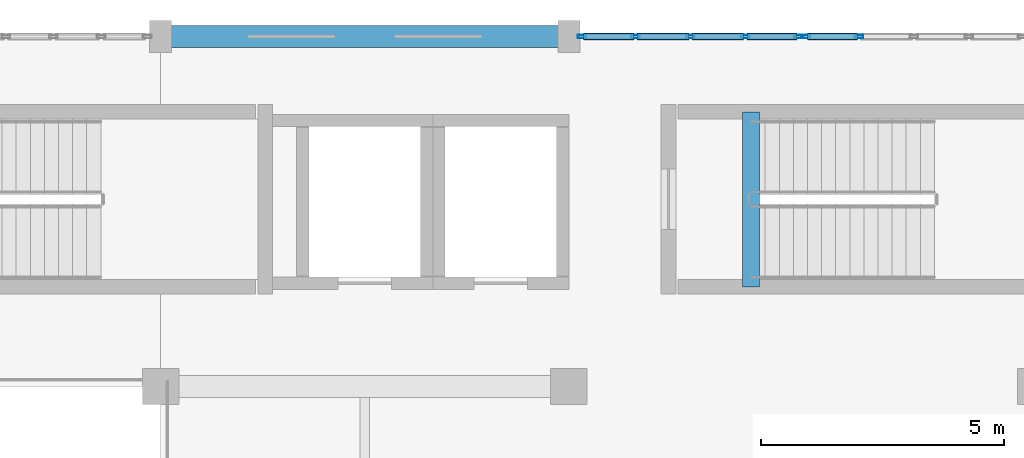
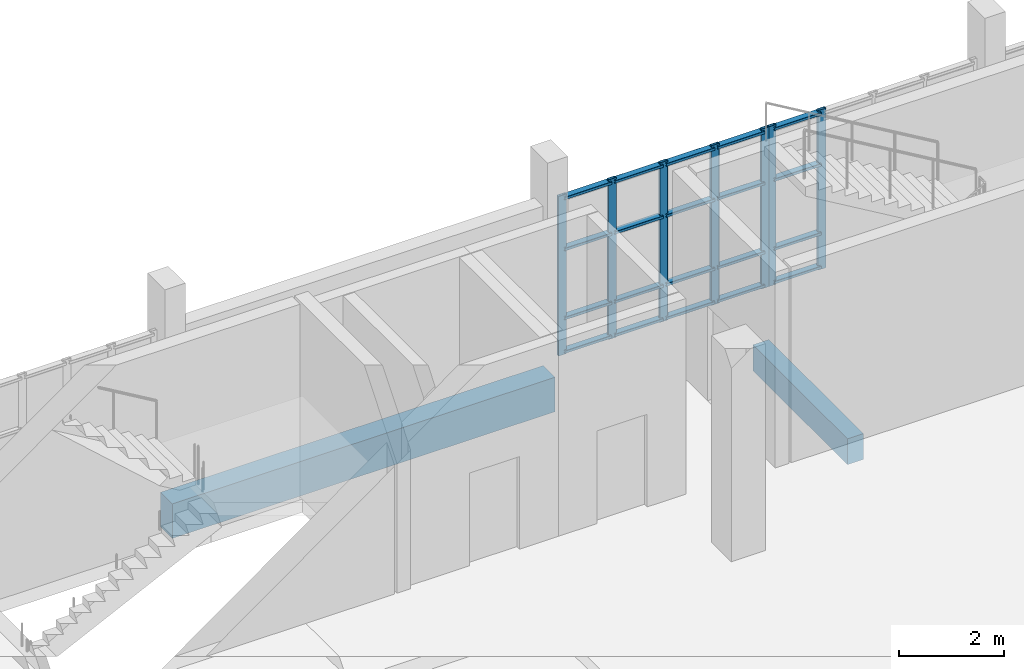
# One storey, part 41 of 106: 27 members, 2 beams, 2 elements without a shape of their own.
"""IFC4 building model written with IfcOpenShell, lengths in metres."""

from ifc_helpers import new_model, si_unit, direction, frame, origin, origin_2d, place, context, subcontext, project, spatial, rectangle, hollow_rectangle, extrude, material, layer, layer_set, material_profile, profile_set, type_object, element, aggregate, save


model = new_model("IFC4")

# Units and contexts
model_context = context("Model", 3, precision=1e-05, world=origin(), true_north=direction((0.0, 1.0)))
body_context = subcontext(model_context, "Body", "Model", "MODEL_VIEW")
ifc_project = project(units=[si_unit("LENGTHUNIT", "METRE"), si_unit("AREAUNIT", "SQUARE_METRE"), si_unit("VOLUMEUNIT", "CUBIC_METRE"), si_unit("PLANEANGLEUNIT", "RADIAN"), si_unit("MASSUNIT", "GRAM", prefix="KILO")], contexts=[model_context])

# Site, building, storey
site_placement = place(None, origin())
site = spatial("IfcSite", under=ifc_project, at=site_placement, CompositionType="ELEMENT")
building_placement = place(site_placement, origin())
building = spatial("IfcBuilding", under=site, at=building_placement, Name="Kisaragi Civic Commons", CompositionType="ELEMENT")
storey_placement = place(building_placement, frame((0.0, 0.0, 4.800048828125)))
storey = spatial("IfcBuildingStorey", under=building, at=storey_placement, Name="L01", CompositionType="ELEMENT", Elevation=4.800048828125)

# Curtain wall, members
ifc_material_1 = material(Name="Thermally broken anodized aluminium and low-E double glazing", Category="aluminium")
ifc_layer = layer(ifc_material_1, 0.179931640625, Name="Thermally broken anodized aluminium and low-E double glazing", Category="aluminium")
ifc_layer_set = layer_set([ifc_layer], Name="Thermally broken anodized aluminium and low-E double glazing")
curtain_wall_type = type_object("IfcCurtainWallType", Name="CW-01", PredefinedType="NOTDEFINED", material=ifc_layer_set)
curtain_wall_1_placement = place(storey_placement, origin())
curtain_wall_1 = element("IfcCurtainWall", 1, at=curtain_wall_1_placement, inside=storey, type_object=curtain_wall_type, Name="L01 curtain wall CW-01 CW-V4-L01-065", PredefinedType="NOTDEFINED")
ifc_material_profile_1 = material_profile(ifc_material_1, hollow_rectangle(XDim=0.06494140625, YDim=0.179931640625, WallThickness=0.00439453125, InnerFilletRadius=0.00439453125, OuterFilletRadius=0.009033203125, at=origin_2d()), Name="CWM-65x180x4.5", Category="aluminium")
ifc_profile_set_1 = profile_set([ifc_material_profile_1], Name="Thermally broken anodized aluminium and low-E double glazing")
member_type_1 = type_object("IfcMemberType", Name="CWM-02", PredefinedType="MULLION", material=ifc_profile_set_1)
member_1_placement = place(storey_placement, frame((114.2724609375, 118.800048828125, 0.0), z_axis=(0.0, 0.0, 1.0), x_axis=(0.0, 1.0, 0.0)))
member_1 = element("IfcMember", 2, at=member_1_placement, type_object=member_type_1, Name="CW-01 mullion 1", PredefinedType="MULLION", context=body_context, shape_type="SweptSolid", body=[
    extrude(hollow_rectangle(XDim=0.06494140625, YDim=0.179931640625, WallThickness=0.00439453125, InnerFilletRadius=0.00439453125, OuterFilletRadius=0.009033203125, at=origin_2d()), origin(), (0.0, 0.0, 1.0), 3.704833984375),
])
member_2_placement = place(storey_placement, frame((115.3701171875, 118.800048828125, 0.0), z_axis=(0.0, 0.0, 1.0), x_axis=(0.0, 1.0, 0.0)))
member_2 = element("IfcMember", 3, at=member_2_placement, type_object=member_type_1, Name="CW-01 mullion 2", PredefinedType="MULLION", context=body_context, shape_type="SweptSolid", body=[
    extrude(hollow_rectangle(XDim=0.06494140625, YDim=0.179931640625, WallThickness=0.00439453125, InnerFilletRadius=0.00439453125, OuterFilletRadius=0.009033203125, at=origin_2d()), origin(), (0.0, 0.0, 1.0), 3.704833984375),
])
member_3_placement = place(storey_placement, frame((116.5, 118.800048828125, 0.0), z_axis=(0.0, 0.0, 1.0), x_axis=(0.0, 1.0, 0.0)))
member_3 = element("IfcMember", 4, at=member_3_placement, type_object=member_type_1, Name="CW-01 mullion 3", PredefinedType="MULLION", context=body_context, shape_type="SweptSolid", body=[
    extrude(hollow_rectangle(XDim=0.06494140625, YDim=0.179931640625, WallThickness=0.00439453125, InnerFilletRadius=0.00439453125, OuterFilletRadius=0.009033203125, at=origin_2d()), origin(), (0.0, 0.0, 1.0), 3.704833984375),
])
member_4_placement = place(storey_placement, frame((117.6298828125, 118.800048828125, 0.0), z_axis=(0.0, 0.0, 1.0), x_axis=(0.0, 1.0, 0.0)))
member_4 = element("IfcMember", 5, at=member_4_placement, type_object=member_type_1, Name="CW-01 mullion 4", PredefinedType="MULLION", context=body_context, shape_type="SweptSolid", body=[
    extrude(hollow_rectangle(XDim=0.06494140625, YDim=0.179931640625, WallThickness=0.00439453125, InnerFilletRadius=0.00439453125, OuterFilletRadius=0.009033203125, at=origin_2d()), origin(), (0.0, 0.0, 1.0), 3.704833984375),
])
member_5_placement = place(storey_placement, frame((118.7275390625, 118.800048828125, 0.0), z_axis=(0.0, 0.0, 1.0), x_axis=(0.0, 1.0, 0.0)))
member_5 = element("IfcMember", 6, at=member_5_placement, type_object=member_type_1, Name="CW-01 mullion 5", PredefinedType="MULLION", context=body_context, shape_type="SweptSolid", body=[
    extrude(hollow_rectangle(XDim=0.06494140625, YDim=0.179931640625, WallThickness=0.00439453125, InnerFilletRadius=0.00439453125, OuterFilletRadius=0.009033203125, at=origin_2d()), origin(), (0.0, 0.0, 1.0), 3.704833984375),
])

curtain_wall_2_placement = place(storey_placement, origin())
curtain_wall_2 = element("IfcCurtainWall", 7, at=curtain_wall_2_placement, inside=storey, type_object=curtain_wall_type, Name="L01 curtain wall CW-01 CW-V4-L01-066", PredefinedType="NOTDEFINED")
member_6_placement = place(storey_placement, frame((118.87255859375, 118.800048828125, 0.0), z_axis=(0.0, 0.0, 1.0), x_axis=(0.0, 1.0, 0.0)))
member_6 = element("IfcMember", 8, at=member_6_placement, type_object=member_type_1, Name="CW-01 mullion 1", PredefinedType="MULLION", context=body_context, shape_type="SweptSolid", body=[
    extrude(hollow_rectangle(XDim=0.06494140625, YDim=0.179931640625, WallThickness=0.00439453125, InnerFilletRadius=0.00439453125, OuterFilletRadius=0.009033203125, at=origin_2d()), origin(), (0.0, 0.0, 1.0), 3.704833984375),
])
member_7_placement = place(storey_placement, frame((119.969970703125, 118.800048828125, 0.0), z_axis=(0.0, 0.0, 1.0), x_axis=(0.0, 1.0, 0.0)))
member_7 = element("IfcMember", 9, at=member_7_placement, type_object=member_type_1, Name="CW-01 mullion 2", PredefinedType="MULLION", context=body_context, shape_type="SweptSolid", body=[
    extrude(hollow_rectangle(XDim=0.06494140625, YDim=0.179931640625, WallThickness=0.00439453125, InnerFilletRadius=0.00439453125, OuterFilletRadius=0.009033203125, at=origin_2d()), origin(), (0.0, 0.0, 1.0), 3.704833984375),
])

# Member
ifc_material_profile_2 = material_profile(ifc_material_1, hollow_rectangle(XDim=0.139892578125, YDim=0.06494140625, WallThickness=0.00439453125, InnerFilletRadius=0.00439453125, OuterFilletRadius=0.009033203125, at=origin_2d()), Name="CWT-65x140x4.5", Category="aluminium")
ifc_profile_set_2 = profile_set([ifc_material_profile_2], Name="Thermally broken anodized aluminium and low-E double glazing")
member_type_2 = type_object("IfcMemberType", Name="CWT-02", PredefinedType="USERDEFINED", material=ifc_profile_set_2)
member_8_placement = place(storey_placement, frame((114.304931640625, 118.800048828125, 0.070068359375), z_axis=(1.0, 0.0, 0.0), x_axis=(0.0, 1.0, 0.0)))
member_8 = element("IfcMember", 10, at=member_8_placement, type_object=member_type_2, Name="CW-01 transom 1.1", ObjectType="TRANSOM", PredefinedType="USERDEFINED", context=body_context, shape_type="SweptSolid", body=[
    extrude(hollow_rectangle(XDim=0.139892578125, YDim=0.06494140625, WallThickness=0.00439453125, InnerFilletRadius=0.00439453125, OuterFilletRadius=0.009033203125, at=origin_2d()), origin(), (0.0, 0.0, 1.0), 1.032470703125),
])

member_9_placement = place(storey_placement, frame((114.304931640625, 118.800048828125, 0.849853515625), z_axis=(1.0, 0.0, 0.0), x_axis=(0.0, 1.0, 0.0)))
member_9 = element("IfcMember", 11, at=member_9_placement, type_object=member_type_2, Name="CW-01 transom 1.2", ObjectType="TRANSOM", PredefinedType="USERDEFINED", context=body_context, shape_type="SweptSolid", body=[
    extrude(hollow_rectangle(XDim=0.139892578125, YDim=0.06494140625, WallThickness=0.00439453125, InnerFilletRadius=0.00439453125, OuterFilletRadius=0.009033203125, at=origin_2d()), origin(), (0.0, 0.0, 1.0), 1.032470703125),
])

member_10_placement = place(storey_placement, frame((114.304931640625, 118.800048828125, 2.449951171875), z_axis=(1.0, 0.0, 0.0), x_axis=(0.0, 1.0, 0.0)))
member_10 = element("IfcMember", 12, at=member_10_placement, type_object=member_type_2, Name="CW-01 transom 1.3", ObjectType="TRANSOM", PredefinedType="USERDEFINED", context=body_context, shape_type="SweptSolid", body=[
    extrude(hollow_rectangle(XDim=0.139892578125, YDim=0.06494140625, WallThickness=0.00439453125, InnerFilletRadius=0.00439453125, OuterFilletRadius=0.009033203125, at=origin_2d()), origin(), (0.0, 0.0, 1.0), 1.032470703125),
])

member_11_placement = place(storey_placement, frame((114.304931640625, 118.800048828125, 3.635009765625), z_axis=(1.0, 0.0, 0.0), x_axis=(0.0, 1.0, 0.0)))
member_11 = element("IfcMember", 13, at=member_11_placement, type_object=member_type_2, Name="CW-01 transom 1.4", ObjectType="TRANSOM", PredefinedType="USERDEFINED", context=body_context, shape_type="SweptSolid", body=[
    extrude(hollow_rectangle(XDim=0.139892578125, YDim=0.06494140625, WallThickness=0.00439453125, InnerFilletRadius=0.00439453125, OuterFilletRadius=0.009033203125, at=origin_2d()), origin(), (0.0, 0.0, 1.0), 1.032470703125),
])

member_12_placement = place(storey_placement, frame((115.402587890625, 118.800048828125, 0.070068359375), z_axis=(1.0, 0.0, 0.0), x_axis=(0.0, 1.0, 0.0)))
member_12 = element("IfcMember", 14, at=member_12_placement, type_object=member_type_2, Name="CW-01 transom 2.1", ObjectType="TRANSOM", PredefinedType="USERDEFINED", context=body_context, shape_type="SweptSolid", body=[
    extrude(hollow_rectangle(XDim=0.139892578125, YDim=0.06494140625, WallThickness=0.00439453125, InnerFilletRadius=0.00439453125, OuterFilletRadius=0.009033203125, at=origin_2d()), origin(), (0.0, 0.0, 1.0), 1.06494140625),
])

member_13_placement = place(storey_placement, frame((115.402587890625, 118.800048828125, 0.849853515625), z_axis=(1.0, 0.0, 0.0), x_axis=(0.0, 1.0, 0.0)))
member_13 = element("IfcMember", 15, at=member_13_placement, type_object=member_type_2, Name="CW-01 transom 2.2", ObjectType="TRANSOM", PredefinedType="USERDEFINED", context=body_context, shape_type="SweptSolid", body=[
    extrude(hollow_rectangle(XDim=0.139892578125, YDim=0.06494140625, WallThickness=0.00439453125, InnerFilletRadius=0.00439453125, OuterFilletRadius=0.009033203125, at=origin_2d()), origin(), (0.0, 0.0, 1.0), 1.06494140625),
])

member_14_placement = place(storey_placement, frame((115.402587890625, 118.800048828125, 2.449951171875), z_axis=(1.0, 0.0, 0.0), x_axis=(0.0, 1.0, 0.0)))
member_14 = element("IfcMember", 16, at=member_14_placement, type_object=member_type_2, Name="CW-01 transom 2.3", ObjectType="TRANSOM", PredefinedType="USERDEFINED", context=body_context, shape_type="SweptSolid", body=[
    extrude(hollow_rectangle(XDim=0.139892578125, YDim=0.06494140625, WallThickness=0.00439453125, InnerFilletRadius=0.00439453125, OuterFilletRadius=0.009033203125, at=origin_2d()), origin(), (0.0, 0.0, 1.0), 1.06494140625),
])

member_15_placement = place(storey_placement, frame((115.402587890625, 118.800048828125, 3.635009765625), z_axis=(1.0, 0.0, 0.0), x_axis=(0.0, 1.0, 0.0)))
member_15 = element("IfcMember", 17, at=member_15_placement, type_object=member_type_2, Name="CW-01 transom 2.4", ObjectType="TRANSOM", PredefinedType="USERDEFINED", context=body_context, shape_type="SweptSolid", body=[
    extrude(hollow_rectangle(XDim=0.139892578125, YDim=0.06494140625, WallThickness=0.00439453125, InnerFilletRadius=0.00439453125, OuterFilletRadius=0.009033203125, at=origin_2d()), origin(), (0.0, 0.0, 1.0), 1.06494140625),
])

member_16_placement = place(storey_placement, frame((116.532470703125, 118.800048828125, 0.070068359375), z_axis=(1.0, 0.0, 0.0), x_axis=(0.0, 1.0, 0.0)))
member_16 = element("IfcMember", 18, at=member_16_placement, type_object=member_type_2, Name="CW-01 transom 3.1", ObjectType="TRANSOM", PredefinedType="USERDEFINED", context=body_context, shape_type="SweptSolid", body=[
    extrude(hollow_rectangle(XDim=0.139892578125, YDim=0.06494140625, WallThickness=0.00439453125, InnerFilletRadius=0.00439453125, OuterFilletRadius=0.009033203125, at=origin_2d()), origin(), (0.0, 0.0, 1.0), 1.06494140625),
])

member_17_placement = place(storey_placement, frame((116.532470703125, 118.800048828125, 0.849853515625), z_axis=(1.0, 0.0, 0.0), x_axis=(0.0, 1.0, 0.0)))
member_17 = element("IfcMember", 19, at=member_17_placement, type_object=member_type_2, Name="CW-01 transom 3.2", ObjectType="TRANSOM", PredefinedType="USERDEFINED", context=body_context, shape_type="SweptSolid", body=[
    extrude(hollow_rectangle(XDim=0.139892578125, YDim=0.06494140625, WallThickness=0.00439453125, InnerFilletRadius=0.00439453125, OuterFilletRadius=0.009033203125, at=origin_2d()), origin(), (0.0, 0.0, 1.0), 1.06494140625),
])

member_18_placement = place(storey_placement, frame((116.532470703125, 118.800048828125, 2.449951171875), z_axis=(1.0, 0.0, 0.0), x_axis=(0.0, 1.0, 0.0)))
member_18 = element("IfcMember", 20, at=member_18_placement, type_object=member_type_2, Name="CW-01 transom 3.3", ObjectType="TRANSOM", PredefinedType="USERDEFINED", context=body_context, shape_type="SweptSolid", body=[
    extrude(hollow_rectangle(XDim=0.139892578125, YDim=0.06494140625, WallThickness=0.00439453125, InnerFilletRadius=0.00439453125, OuterFilletRadius=0.009033203125, at=origin_2d()), origin(), (0.0, 0.0, 1.0), 1.06494140625),
])

member_19_placement = place(storey_placement, frame((116.532470703125, 118.800048828125, 3.635009765625), z_axis=(1.0, 0.0, 0.0), x_axis=(0.0, 1.0, 0.0)))
member_19 = element("IfcMember", 21, at=member_19_placement, type_object=member_type_2, Name="CW-01 transom 3.4", ObjectType="TRANSOM", PredefinedType="USERDEFINED", context=body_context, shape_type="SweptSolid", body=[
    extrude(hollow_rectangle(XDim=0.139892578125, YDim=0.06494140625, WallThickness=0.00439453125, InnerFilletRadius=0.00439453125, OuterFilletRadius=0.009033203125, at=origin_2d()), origin(), (0.0, 0.0, 1.0), 1.06494140625),
])

member_20_placement = place(storey_placement, frame((117.66259765625, 118.800048828125, 0.070068359375), z_axis=(1.0, 0.0, 0.0), x_axis=(0.0, 1.0, 0.0)))
member_20 = element("IfcMember", 22, at=member_20_placement, type_object=member_type_2, Name="CW-01 transom 4.1", ObjectType="TRANSOM", PredefinedType="USERDEFINED", context=body_context, shape_type="SweptSolid", body=[
    extrude(hollow_rectangle(XDim=0.139892578125, YDim=0.06494140625, WallThickness=0.00439453125, InnerFilletRadius=0.00439453125, OuterFilletRadius=0.009033203125, at=origin_2d()), origin(), (0.0, 0.0, 1.0), 1.032470703125),
])

member_21_placement = place(storey_placement, frame((117.66259765625, 118.800048828125, 0.849853515625), z_axis=(1.0, 0.0, 0.0), x_axis=(0.0, 1.0, 0.0)))
member_21 = element("IfcMember", 23, at=member_21_placement, type_object=member_type_2, Name="CW-01 transom 4.2", ObjectType="TRANSOM", PredefinedType="USERDEFINED", context=body_context, shape_type="SweptSolid", body=[
    extrude(hollow_rectangle(XDim=0.139892578125, YDim=0.06494140625, WallThickness=0.00439453125, InnerFilletRadius=0.00439453125, OuterFilletRadius=0.009033203125, at=origin_2d()), origin(), (0.0, 0.0, 1.0), 1.032470703125),
])

member_22_placement = place(storey_placement, frame((117.66259765625, 118.800048828125, 2.449951171875), z_axis=(1.0, 0.0, 0.0), x_axis=(0.0, 1.0, 0.0)))
member_22 = element("IfcMember", 24, at=member_22_placement, type_object=member_type_2, Name="CW-01 transom 4.3", ObjectType="TRANSOM", PredefinedType="USERDEFINED", context=body_context, shape_type="SweptSolid", body=[
    extrude(hollow_rectangle(XDim=0.139892578125, YDim=0.06494140625, WallThickness=0.00439453125, InnerFilletRadius=0.00439453125, OuterFilletRadius=0.009033203125, at=origin_2d()), origin(), (0.0, 0.0, 1.0), 1.032470703125),
])

member_23_placement = place(storey_placement, frame((117.66259765625, 118.800048828125, 3.635009765625), z_axis=(1.0, 0.0, 0.0), x_axis=(0.0, 1.0, 0.0)))
member_23 = element("IfcMember", 25, at=member_23_placement, type_object=member_type_2, Name="CW-01 transom 4.4", ObjectType="TRANSOM", PredefinedType="USERDEFINED", context=body_context, shape_type="SweptSolid", body=[
    extrude(hollow_rectangle(XDim=0.139892578125, YDim=0.06494140625, WallThickness=0.00439453125, InnerFilletRadius=0.00439453125, OuterFilletRadius=0.009033203125, at=origin_2d()), origin(), (0.0, 0.0, 1.0), 1.032470703125),
])

aggregate(curtain_wall_1, [member_1, member_2, member_3, member_4, member_5, member_8, member_9, member_10, member_11, member_12, member_13, member_14, member_15, member_16, member_17, member_18, member_19, member_20, member_21, member_22, member_23])

member_24_placement = place(storey_placement, frame((118.905029296875, 118.800048828125, 0.070068359375), z_axis=(1.0, 0.0, 0.0), x_axis=(0.0, 1.0, 0.0)))
member_24 = element("IfcMember", 26, at=member_24_placement, type_object=member_type_2, Name="CW-01 transom 1.1", ObjectType="TRANSOM", PredefinedType="USERDEFINED", context=body_context, shape_type="SweptSolid", body=[
    extrude(hollow_rectangle(XDim=0.139892578125, YDim=0.06494140625, WallThickness=0.00439453125, InnerFilletRadius=0.00439453125, OuterFilletRadius=0.009033203125, at=origin_2d()), origin(), (0.0, 0.0, 1.0), 1.032470703125),
])

member_25_placement = place(storey_placement, frame((118.905029296875, 118.800048828125, 0.849853515625), z_axis=(1.0, 0.0, 0.0), x_axis=(0.0, 1.0, 0.0)))
member_25 = element("IfcMember", 27, at=member_25_placement, type_object=member_type_2, Name="CW-01 transom 1.2", ObjectType="TRANSOM", PredefinedType="USERDEFINED", context=body_context, shape_type="SweptSolid", body=[
    extrude(hollow_rectangle(XDim=0.139892578125, YDim=0.06494140625, WallThickness=0.00439453125, InnerFilletRadius=0.00439453125, OuterFilletRadius=0.009033203125, at=origin_2d()), origin(), (0.0, 0.0, 1.0), 1.032470703125),
])

member_26_placement = place(storey_placement, frame((118.905029296875, 118.800048828125, 2.449951171875), z_axis=(1.0, 0.0, 0.0), x_axis=(0.0, 1.0, 0.0)))
member_26 = element("IfcMember", 28, at=member_26_placement, type_object=member_type_2, Name="CW-01 transom 1.3", ObjectType="TRANSOM", PredefinedType="USERDEFINED", context=body_context, shape_type="SweptSolid", body=[
    extrude(hollow_rectangle(XDim=0.139892578125, YDim=0.06494140625, WallThickness=0.00439453125, InnerFilletRadius=0.00439453125, OuterFilletRadius=0.009033203125, at=origin_2d()), origin(), (0.0, 0.0, 1.0), 1.032470703125),
])

member_27_placement = place(storey_placement, frame((118.905029296875, 118.800048828125, 3.635009765625), z_axis=(1.0, 0.0, 0.0), x_axis=(0.0, 1.0, 0.0)))
member_27 = element("IfcMember", 29, at=member_27_placement, type_object=member_type_2, Name="CW-01 transom 1.4", ObjectType="TRANSOM", PredefinedType="USERDEFINED", context=body_context, shape_type="SweptSolid", body=[
    extrude(hollow_rectangle(XDim=0.139892578125, YDim=0.06494140625, WallThickness=0.00439453125, InnerFilletRadius=0.00439453125, OuterFilletRadius=0.009033203125, at=origin_2d()), origin(), (0.0, 0.0, 1.0), 1.032470703125),
])

aggregate(curtain_wall_2, [member_6, member_7, member_24, member_25, member_26, member_27])

# Beams
ifc_material_2 = material(Name="Concrete Fc30", Category="concrete")
ifc_material_profile_3 = material_profile(ifc_material_2, rectangle(XDim=0.35009765625, YDim=0.60009765625, at=origin_2d()), Name="RC-350x600", Category="concrete")
ifc_profile_set_3 = profile_set([ifc_material_profile_3], Name="Concrete Fc30")
beam_type_1 = type_object("IfcBeamType", Name="G-14", PredefinedType="BEAM", material=ifc_profile_set_3)
beam_1_placement = place(storey_placement, frame((117.75, 113.64990234375, -0.300048828125), z_axis=(0.0, 1.0, 0.0), x_axis=(-1.0, 0.0, 0.0)))
element("IfcBeam", 30, at=beam_1_placement, inside=storey, type_object=beam_type_1, Name="ST-L2 L01 stair landing trimmer beam", PredefinedType="BEAM", context=body_context, shape_type="SweptSolid", body=[
    extrude(rectangle(XDim=0.35009765625, YDim=0.60009765625, at=origin_2d()), origin(), (0.0, 0.0, 1.0), 3.60009765625),
])
ifc_material_profile_4 = material_profile(ifc_material_2, rectangle(XDim=0.449951171875, YDim=0.800048828125, at=origin_2d()), Name="RC-450x800", Category="concrete")
ifc_profile_set_4 = profile_set([ifc_material_profile_4], Name="Concrete Fc30")
beam_type_2 = type_object("IfcBeamType", Name="SPB-01", PredefinedType="SPANDREL", material=ifc_profile_set_4)
beam_2_placement = place(storey_placement, frame((105.60009765625, 118.800048828125, -0.705078125), z_axis=(1.0, 0.0, 0.0), x_axis=(0.0, 1.0, 0.0)))
element("IfcBeam", 31, at=beam_2_placement, inside=storey, type_object=beam_type_2, Name="L01 girder SPB-01 238", PredefinedType="SPANDREL", context=body_context, shape_type="SweptSolid", body=[
    extrude(rectangle(XDim=0.449951171875, YDim=0.800048828125, at=origin_2d()), origin(), (0.0, 0.0, 1.0), 8.39990234375),
])

save(model, "model.ifc")
